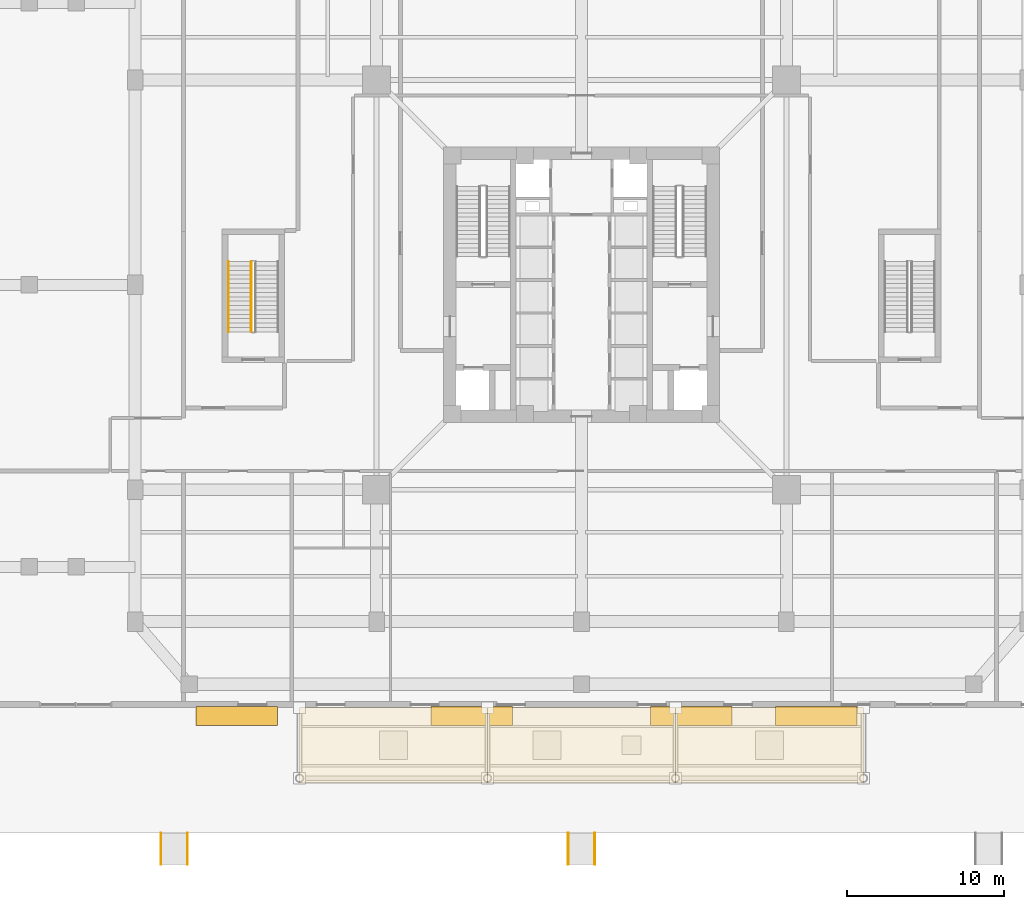
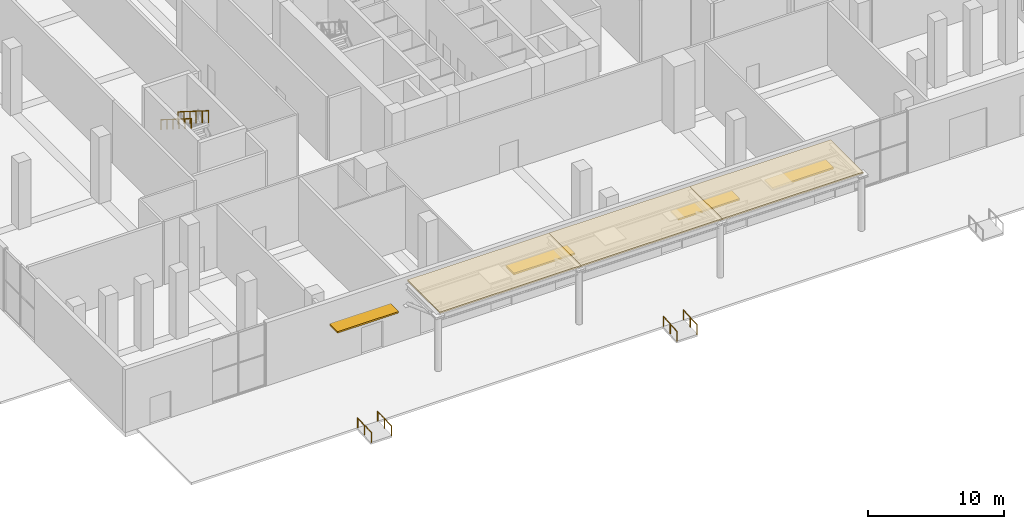
# One storey, part 19 of 25: 6 railings, 4 shading devices, 3 coverings.
"""IFC4 building model written with IfcOpenShell, lengths in metres."""

from ifc_helpers import new_model, si_unit, direction, frame, origin, origin_2d, place, context, subcontext, project, spatial, polyline, rectangle, circle, outline, extrude, source, transform, mapped, material, layer, layer_set, type_object, element, save


model = new_model("IFC4")

# Units and contexts
model_context = context("Model", 3, precision=1e-05, world=origin(), true_north=direction((0.0, 1.0)))
body_context = subcontext(model_context, "Body", "Model", "MODEL_VIEW")
ifc_project = project(units=[si_unit("LENGTHUNIT", "METRE"), si_unit("AREAUNIT", "SQUARE_METRE"), si_unit("VOLUMEUNIT", "CUBIC_METRE"), si_unit("PLANEANGLEUNIT", "RADIAN"), si_unit("MASSUNIT", "GRAM", prefix="KILO"), si_unit("THERMODYNAMICTEMPERATUREUNIT", "KELVIN")], contexts=[model_context])

# Site, building, storey
site_placement = place(None, origin())
site = spatial("IfcSite", under=ifc_project, at=site_placement, CompositionType="ELEMENT")
building_placement = place(site_placement, origin())
building = spatial("IfcBuilding", under=site, at=building_placement, Name="Kosmvard Interchange Tower", CompositionType="ELEMENT")
storey_placement = place(building_placement, origin())
storey = spatial("IfcBuildingStorey", under=building, at=storey_placement, Name="L00", CompositionType="ELEMENT", Elevation=0.0)

# Coverings
ifc_material_1 = material(Name="Insulated EPDM roofing membrane")
ifc_layer_1 = layer(ifc_material_1, 0.1201171875, Name="Insulated EPDM roofing membrane")
ifc_layer_set_1 = layer_set([ifc_layer_1], Name="Insulated EPDM roofing membrane")
covering_type = type_object("IfcCoveringType", Name="Insulated EPDM Waterproof Roofing Membrane 120", PredefinedType="ROOFING", material=ifc_layer_set_1)
covering_1_placement = place(storey_placement, frame((0.0, 0.0, 5.22998046875)))
element("IfcCovering", 1, at=covering_1_placement, inside=storey, type_object=covering_type, Name="L00 Canopy Roof Membrane S1", PredefinedType="ROOFING", context=body_context, shape_type="SweptSolid", body=[
    extrude(outline(polyline([(-18.0, -31.800048828125), (-6.0, -31.800048828125), (-6.0, -27.0), (-18.0, -27.0), (-18.0, -31.800048828125)])), origin(), (0.0, 0.0, 1.0), 0.1201171875),
])
covering_2_placement = place(storey_placement, frame((0.0, 0.0, 5.22998046875)))
element("IfcCovering", 2, at=covering_2_placement, inside=storey, type_object=covering_type, Name="L00 Canopy Roof Membrane S2", PredefinedType="ROOFING", context=body_context, shape_type="SweptSolid", body=[
    extrude(outline(polyline([(-6.0, -31.800048828125), (6.0, -31.800048828125), (6.0, -27.0), (-6.0, -27.0), (-6.0, -31.800048828125)])), origin(), (0.0, 0.0, 1.0), 0.1201171875),
])
covering_3_placement = place(storey_placement, frame((0.0, 0.0, 5.22998046875)))
element("IfcCovering", 3, at=covering_3_placement, inside=storey, type_object=covering_type, Name="L00 Canopy Roof Membrane S3", PredefinedType="ROOFING", context=body_context, shape_type="SweptSolid", body=[
    extrude(outline(polyline([(6.0, -31.800048828125), (18.0, -31.800048828125), (18.0, -27.0), (6.0, -27.0), (6.0, -31.800048828125)])), origin(), (0.0, 0.0, 1.0), 0.1201171875),
])

# Shading devices
ifc_material_2 = material(Name="Solar bronze aluminium", Category="aluminium")
ifc_layer_2 = layer(ifc_material_2, 0.139892578125, Name="Solar bronze aluminium")
ifc_layer_set_2 = layer_set([ifc_layer_2], Name="Solar bronze aluminium")
shading_device_type = type_object("IfcShadingDeviceType", Name="Podium Entrance Horizontal Brise-Soleil Sunshade 1200", PredefinedType="USERDEFINED", material=ifc_layer_set_2)
shared_shape_1 = source(origin(), body_context, "Body", "SweptSolid", [
    extrude(rectangle(XDim=5.199951171875, YDim=1.199951171875, at=origin_2d()), origin(), (0.0, 0.0, 1.0), 0.139892578125),
])
for number, where, z_axis, x_axis, name in (
    (4, (-22.0, -27.52001953125, 3.5302734375), (0.0, 0.0, 1.0), (1.0, 0.0, 0.0), "L00 Horizontal Brise-Soleil Sunshade S1"),
    (5, (-7.0, -27.52001953125, 3.5302734375), (0.0, 0.0, 1.0), (1.0, 0.0, 0.0), "L00 Horizontal Brise-Soleil Sunshade S2"),
    (6, (7.0, -27.52001953125, 3.5302734375), (0.0, 0.0, 1.0), (1.0, 0.0, 0.0), "L00 Horizontal Brise-Soleil Sunshade S3"),
    (7, (15.0, -27.52001953125, 3.5302734375), (0.0, 0.0, 1.0), (1.0, 0.0, 0.0), "L00 Horizontal Brise-Soleil Sunshade S4"),
):
    element("IfcShadingDevice", number, at=place(storey_placement, frame(where, z_axis=z_axis, x_axis=x_axis)), inside=storey, type_object=shading_device_type, Name=name, ObjectType="SUNSHADE", PredefinedType="USERDEFINED", context=body_context, shape_type="MappedRepresentation", body=[
        mapped(shared_shape_1, transform((0.0, 0.0, 0.0), scale=1.0)),
    ])

# Railings
ifc_material_3 = material(Name="Steel S355", Category="steel")
railing_type_1 = type_object("IfcRailingType", Name="Stair & Terrace Safety Guardrail 1100 Steel", PredefinedType="GUARDRAIL", material=ifc_material_3)
shared_shape_2 = source(origin(), body_context, "Body", "SweptSolid", [
    extrude(circle(Radius=0.02392578125, at=origin_2d()), frame((0.0, 0.0, 1.076171875), z_axis=(0.0, -0.845997938375, 0.533186166611), x_axis=(1.0, 0.0, 0.0)), (0.0, 0.0, 1.0), 5.29541015625),
    extrude(circle(Radius=0.02099609375, at=origin_2d()), origin(), (0.0, 0.0, 1.0), 1.052001953125),
    extrude(circle(Radius=0.02099609375, at=origin_2d()), frame((0.0, -0.89599609375, 0.564697265625)), (0.0, 0.0, 1.0), 1.052001953125),
    extrude(circle(Radius=0.02099609375, at=origin_2d()), frame((0.0, -1.7919921875, 1.12939453125)), (0.0, 0.0, 1.0), 1.052001953125),
    extrude(circle(Radius=0.02099609375, at=origin_2d()), frame((0.0, -2.68798828125, 1.694091796875)), (0.0, 0.0, 1.0), 1.052001953125),
    extrude(circle(Radius=0.02099609375, at=origin_2d()), frame((0.0, -3.583984375, 2.2587890625)), (0.0, 0.0, 1.0), 1.052001953125),
    extrude(circle(Radius=0.02099609375, at=origin_2d()), frame((0.0, -4.47998046875, 2.823486328125)), (0.0, 0.0, 1.0), 1.052001953125),
])
railing_1_placement = place(storey_placement, frame((-21.080078125, 1.47998046875, 3.176513671875)))
element("IfcRailing", 8, at=railing_1_placement, inside=storey, type_object=railing_type_1, Name="L00 ST-3 stair guard 3", PredefinedType="GUARDRAIL", context=body_context, shape_type="MappedRepresentation", body=[
    mapped(shared_shape_2, transform((0.0, 0.0, 0.0), scale=1.0)),
])
railing_type_2 = type_object("IfcRailingType", Name="Wall-Mounted Stair Handrail 900 Steel", PredefinedType="HANDRAIL", material=ifc_material_3)
shared_shape_3 = source(origin(), body_context, "Body", "SweptSolid", [
    extrude(circle(Radius=0.02392578125, at=origin_2d()), frame((0.0, 0.0, 0.8759765625), z_axis=(0.0, -0.845997938375, 0.533186166611), x_axis=(1.0, 0.0, 0.0)), (0.0, 0.0, 1.0), 5.29541015625),
    extrude(circle(Radius=0.02099609375, at=origin_2d()), origin(), (0.0, 0.0, 1.0), 0.851806640625),
    extrude(circle(Radius=0.02099609375, at=origin_2d()), frame((0.0, -0.89599609375, 0.564697265625)), (0.0, 0.0, 1.0), 0.851806640625),
    extrude(circle(Radius=0.02099609375, at=origin_2d()), frame((0.0, -1.7919921875, 1.12939453125)), (0.0, 0.0, 1.0), 0.851806640625),
    extrude(circle(Radius=0.02099609375, at=origin_2d()), frame((0.0, -2.68798828125, 1.694091796875)), (0.0, 0.0, 1.0), 0.851806640625),
    extrude(circle(Radius=0.02099609375, at=origin_2d()), frame((0.0, -3.583984375, 2.2587890625)), (0.0, 0.0, 1.0), 0.851806640625),
    extrude(circle(Radius=0.02099609375, at=origin_2d()), frame((0.0, -4.47998046875, 2.823486328125)), (0.0, 0.0, 1.0), 0.851806640625),
])
railing_2_placement = place(storey_placement, frame((-22.530029296875, 1.47998046875, 3.176513671875)))
element("IfcRailing", 9, at=railing_2_placement, inside=storey, type_object=railing_type_2, Name="L00 ST-3 stair handrail 2", PredefinedType="HANDRAIL", context=body_context, shape_type="MappedRepresentation", body=[
    mapped(shared_shape_3, transform((0.0, 0.0, 0.0), scale=1.0)),
])
shared_shape_4 = source(origin(), body_context, "Body", "SweptSolid", [
    extrude(circle(Radius=0.02392578125, at=origin_2d()), frame((0.0, 0.0, 0.8759765625), z_axis=(0.0, 0.99874990542, 0.049986262356), x_axis=(-1.0, 0.0, 0.0)), (0.0, 0.0, 1.0), 2.00244140625),
    extrude(circle(Radius=0.02099609375, at=origin_2d()), origin(), (0.0, 0.0, 1.0), 0.851806640625),
    extrude(circle(Radius=0.02099609375, at=origin_2d()), frame((0.0, 1.0, 0.050048828125)), (0.0, 0.0, 1.0), 0.851806640625),
    extrude(circle(Radius=0.02099609375, at=origin_2d()), frame((0.0, 2.0, 0.10009765625)), (0.0, 0.0, 1.0), 0.851806640625),
])
for number, where, name in (
    (10, (-26.85009765625, -37.0, -0.10009765625), "L00 Ramp Handrail RMP-S1-L"),
    (11, (-25.14990234375, -37.0, -0.10009765625), "L00 Ramp Handrail RMP-S1-R"),
    (12, (-0.85009765625, -37.0, -0.10009765625), "L00 Ramp Handrail RMP-S2-L"),
    (13, (0.85009765625, -37.0, -0.10009765625), "L00 Ramp Handrail RMP-S2-R"),
):
    element("IfcRailing", number, at=place(storey_placement, frame(where)), inside=storey, type_object=railing_type_2, Name=name, PredefinedType="HANDRAIL", context=body_context, shape_type="MappedRepresentation", body=[
        mapped(shared_shape_4, transform((0.0, 0.0, 0.0), scale=1.0)),
    ])

save(model, "model.ifc")
